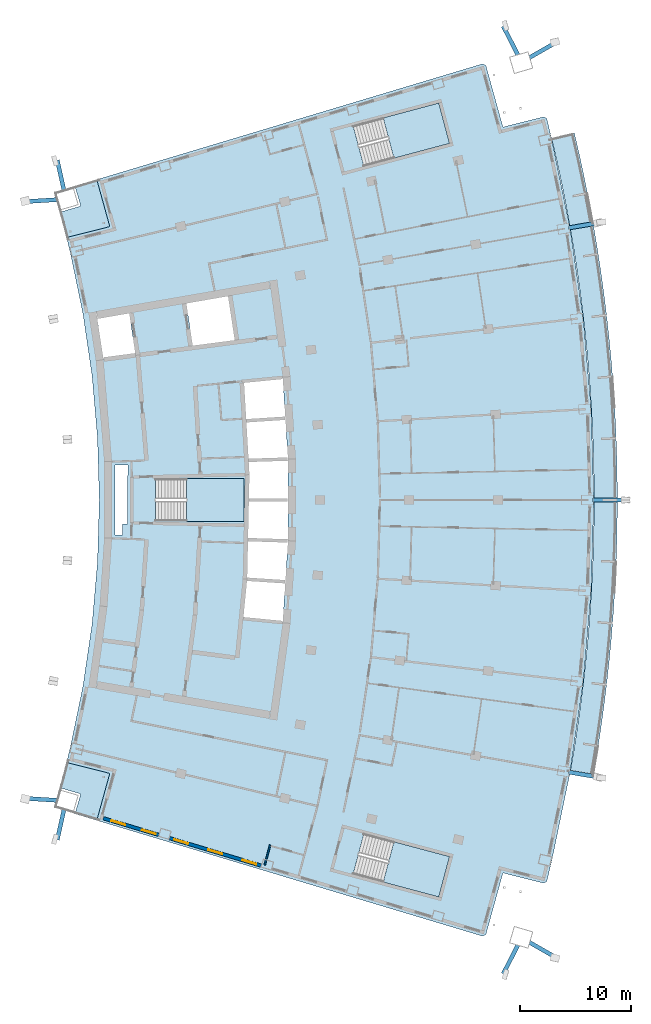
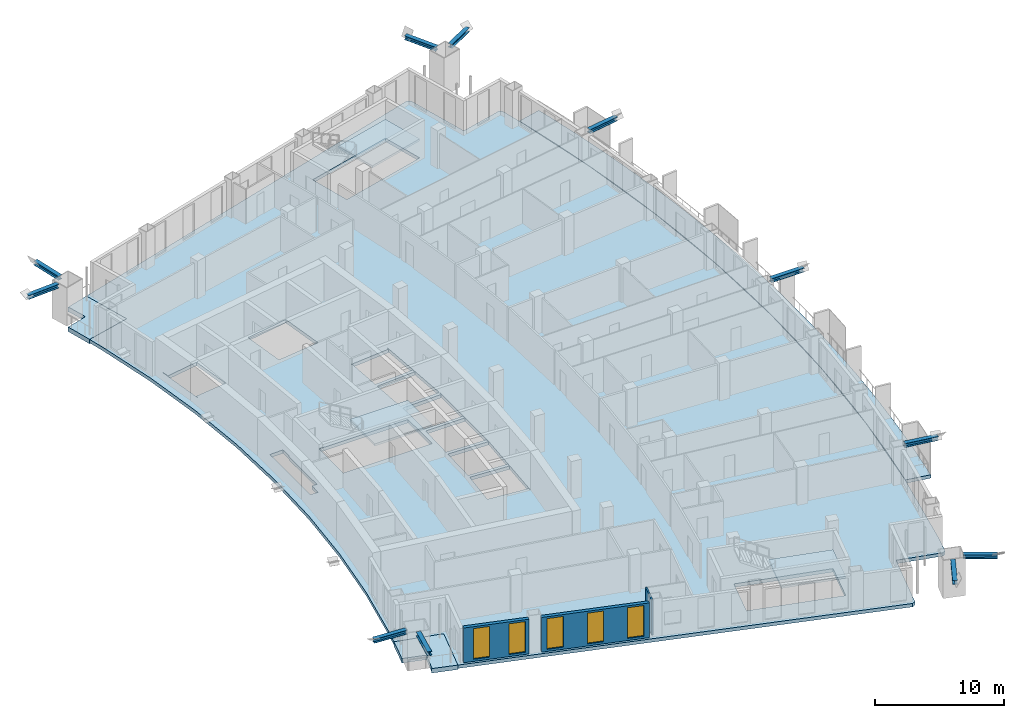
# One storey, part 10 of 22: 11 members, 7 slabs, 5 windows, 3 walls, 5 openings, 3 elements without a shape of their own.
"""IFC4 building model written with IfcOpenShell, lengths in metres."""

import ifcopenshell
import ifcopenshell.guid

model = None  # the IFC model being written
_history = None  # IfcOwnerHistory: only IFC2X3 demands one
_inside = {}  # id of a spatial element -> (the spatial element, [elements in it])
_under = {}  # id of a project, library or spatial element -> (it, [spatial elements below it])
_declared = {}  # id of a project -> (the project, [libraries it declares])
_typed = {}  # id of a type object -> (the type object, [elements of that type])
_made_of = {}  # id of a material, layer set ... -> (it, [elements and type objects made of it])


def new_model(schema):
    """Start an empty IFC model of exactly this schema.

    Asked for "IFC4X3", IfcOpenShell would pick the latest addendum, in which some entities
    have other attributes; the version numbers below select the first issue.
    IFC2X3 requires an IfcOwnerHistory on every rooted entity: one is made here for all.
    """
    global model, _history
    if schema == "IFC4X3":
        model = ifcopenshell.file(schema_version=(4, 3, 0, 0))
    else:
        model = ifcopenshell.file(schema=schema)
    _inside.clear()
    _under.clear()
    _declared.clear()
    _typed.clear()
    _made_of.clear()
    _history = None
    if model.schema == "IFC2X3":
        org = make("IfcOrganization", Name="unknown")
        user = make(
            "IfcPersonAndOrganization",
            ThePerson=make("IfcPerson", FamilyName="unknown"),
            TheOrganization=org,
        )
        app = make(
            "IfcApplication",
            ApplicationDeveloper=org,
            Version="unknown",
            ApplicationFullName="unknown",
            ApplicationIdentifier="unknown",
        )
        _history = make(
            "IfcOwnerHistory",
            OwningUser=user,
            OwningApplication=app,
            ChangeAction="ADDED",
            CreationDate=0,
        )
    return model


def make(cls, **values):
    """One entity of the class cls with the attributes given. An attribute that is None is left unset."""
    return model.create_entity(
        cls, **{name: value for name, value in values.items() if value is not None}
    )


def rooted(cls, **values):
    """An entity with a GlobalId (a new one), such as an element, a storey or a relation."""
    return make(cls, GlobalId=ifcopenshell.guid.new(), OwnerHistory=_history, **values)


def si_unit(unit_type, name, prefix=None):
    """IfcSIUnit, for example si_unit("LENGTHUNIT", "METRE", prefix="MILLI")."""
    return make("IfcSIUnit", UnitType=unit_type, Prefix=prefix, Name=name)


def assignment(units):
    """IfcUnitAssignment: the units of a project."""
    return None if units is None else make("IfcUnitAssignment", Units=units)


def point(xyz):
    """IfcCartesianPoint."""
    return None if xyz is None else make("IfcCartesianPoint", Coordinates=xyz)


def direction(xyz):
    """IfcDirection."""
    return None if xyz is None else make("IfcDirection", DirectionRatios=xyz)


def frame(location, z_axis=None, x_axis=None):
    """IfcAxis2Placement3D, a coordinate frame: its origin and axes. An axis left out is left unset."""
    return make(
        "IfcAxis2Placement3D",
        Location=point(location),
        Axis=direction(z_axis),
        RefDirection=direction(x_axis),
    )


def frame_2d(location, x_axis=None):
    """IfcAxis2Placement2D, a coordinate frame in the plane: its origin and x axis."""
    return make(
        "IfcAxis2Placement2D", Location=point(location), RefDirection=direction(x_axis)
    )


def origin():
    """The frame at (0, 0, 0) with its axes left unset."""
    return frame((0.0, 0.0, 0.0))


def origin_2d():
    """The frame at (0, 0) in the plane with its x axis left unset."""
    return frame_2d((0.0, 0.0))


def place(relative_to, where):
    """IfcLocalPlacement: puts the frame where relative to a parent placement (None: the world)."""
    return make(
        "IfcLocalPlacement", PlacementRelTo=relative_to, RelativePlacement=where
    )


def context(
    kind, dimensions, precision=None, world=None, true_north=None, identifier=None
):
    """IfcGeometricRepresentationContext, for example the 3D "Model" context."""
    return make(
        "IfcGeometricRepresentationContext",
        ContextIdentifier=identifier,
        ContextType=kind,
        CoordinateSpaceDimension=dimensions,
        Precision=precision,
        WorldCoordinateSystem=world,
        TrueNorth=true_north,
    )


def subcontext(parent, identifier, kind, view, scale=None):
    """IfcGeometricRepresentationSubContext, for example "Body" below "Model"."""
    return make(
        "IfcGeometricRepresentationSubContext",
        ContextIdentifier=identifier,
        ContextType=kind,
        ParentContext=parent,
        TargetScale=scale,
        TargetView=view,
    )


def project(units=None, contexts=None):
    """IfcProject with its units and contexts."""
    return rooted(
        "IfcProject",
        Name="project",
        RepresentationContexts=contexts,
        UnitsInContext=assignment(units),
    )


def spatial(cls, under=None, at=None, **own):
    """A site, building, storey or space (cls), placed at a placement, below another one or the project."""
    s = rooted(cls, ObjectPlacement=at, **own)
    if under is not None:
        _under.setdefault(under.id(), (under, []))[1].append(s)
    return s


def polyline(points):
    """IfcPolyline through the points."""
    return make("IfcPolyline", Points=[point(p) for p in points])


def profile(cls, at=None, kind="AREA", **sizes):
    """A parametric profile (cls). Its sizes go by their IFC names, for example OverallWidth=200.0."""
    return make(cls, ProfileType=kind, Position=at, **sizes)


def rectangle(**sizes):
    """IfcRectangleProfileDef."""
    return profile("IfcRectangleProfileDef", **sizes)


def i_section(**sizes):
    """IfcIShapeProfileDef."""
    return profile("IfcIShapeProfileDef", **sizes)


def outline(outer, holes=None, kind="AREA"):
    """IfcArbitraryClosedProfileDef: a profile drawn as a closed curve; with holes, ...WithVoids."""
    if holes is None:
        return make("IfcArbitraryClosedProfileDef", ProfileType=kind, OuterCurve=outer)
    return make(
        "IfcArbitraryProfileDefWithVoids",
        ProfileType=kind,
        OuterCurve=outer,
        InnerCurves=holes,
    )


def extrude(swept, where, along, depth):
    """IfcExtrudedAreaSolid: the profile swept, set in the frame where, extruded along a direction by depth."""
    return make(
        "IfcExtrudedAreaSolid",
        SweptArea=swept,
        Position=where,
        ExtrudedDirection=direction(along),
        Depth=depth,
    )


def shape(context_of_items, identifier, shape_type, items):
    """IfcShapeRepresentation: the items that make up one representation, for example the "Body"."""
    return make(
        "IfcShapeRepresentation",
        ContextOfItems=context_of_items,
        RepresentationIdentifier=identifier,
        RepresentationType=shape_type,
        Items=items,
    )


def material(Name=None, Category=None):
    """IfcMaterial."""
    return make("IfcMaterial", Name=Name, Category=Category)


def layer(
    of_material, thickness, ventilated=None, Name=None, Category=None, Priority=None
):
    """IfcMaterialLayer: one layer of a wall or slab, of a material (None: an air gap)."""
    return make(
        "IfcMaterialLayer",
        Material=of_material,
        LayerThickness=thickness,
        IsVentilated=ventilated,
        Name=Name,
        Category=Category,
        Priority=Priority,
    )


def layer_set(layers, Name=None):
    """IfcMaterialLayerSet."""
    return make("IfcMaterialLayerSet", MaterialLayers=layers, LayerSetName=Name)


def material_profile(
    of_material, cross_section, Name=None, Category=None, Priority=None
):
    """IfcMaterialProfile: a cross section and its material."""
    return make(
        "IfcMaterialProfile",
        Name=Name,
        Material=of_material,
        Profile=cross_section,
        Priority=Priority,
        Category=Category,
    )


def profile_set(profiles, Name=None, composite=None):
    """IfcMaterialProfileSet."""
    return make(
        "IfcMaterialProfileSet",
        Name=Name,
        MaterialProfiles=profiles,
        CompositeProfile=composite,
    )


def made_of(thing, what):
    """Note that an element or type object is made of a material, layer set ...; save() writes the relation."""
    if what is not None:
        _made_of.setdefault(what.id(), (what, []))[1].append(thing)
    return thing


def type_object(cls, material=None, **own):
    """A type object (cls), such as IfcWallType, which elements share."""
    return made_of(rooted(cls, **own), material)


def element(
    cls,
    number,
    at=None,
    inside=None,
    cuts=None,
    type_object=None,
    material=None,
    context=None,
    identifier="Body",
    shape_type=None,
    held_by="IfcProductDefinitionShape",
    body=None,
    shapes=None,
    **own,
):
    """One element of the class cls, such as IfcWall. Its Tag is "e" and its number.

    at: its placement. inside: the storey or other place that contains it. cuts: it is an
    opening in that element (IfcRelVoidsElement). A single representation is given by context,
    identifier, shape_type and body (its items); several are given by shapes. held_by: the class
    of the entity that holds the representations. save() writes the other relations.
    """
    e = rooted(cls, Tag="e%d" % number, ObjectPlacement=at, **own)
    if body is not None:
        shapes = [shape(context, identifier, shape_type, body)]
    if shapes is not None:
        e.Representation = make(held_by, Representations=shapes)
    if inside is not None:
        _inside.setdefault(inside.id(), (inside, []))[1].append(e)
    if cuts is not None:
        rooted(
            "IfcRelVoidsElement", RelatingBuildingElement=cuts, RelatedOpeningElement=e
        )
    if type_object is not None:
        _typed.setdefault(type_object.id(), (type_object, []))[1].append(e)
    return made_of(e, material)


def fill(opening, filler):
    """IfcRelFillsElement: the door or window that sits in an opening."""
    return rooted(
        "IfcRelFillsElement",
        RelatingOpeningElement=opening,
        RelatedBuildingElement=filler,
    )


def aggregate(whole, parts):
    """IfcRelAggregates: a whole, such as a stair, and the parts it consists of."""
    return rooted("IfcRelAggregates", RelatingObject=whole, RelatedObjects=parts)


def save(model, path):
    """Write the relations noted so far, then the file.

    IfcRelAggregates (storeys below a building ...), IfcRelContainedInSpatialStructure (elements
    in a storey), IfcRelDefinesByType, IfcRelAssociatesMaterial and IfcRelDeclares: one each for
    every whole, place, type object, material and project.
    """
    for whole, parts in _under.values():
        aggregate(whole, parts)
    for where, things in _inside.values():
        rooted(
            "IfcRelContainedInSpatialStructure",
            RelatedElements=things,
            RelatingStructure=where,
        )
    for kind, things in _typed.values():
        rooted("IfcRelDefinesByType", RelatedObjects=things, RelatingType=kind)
    for what, things in _made_of.values():
        rooted("IfcRelAssociatesMaterial", RelatedObjects=things, RelatingMaterial=what)
    for by, libraries in _declared.values():
        rooted("IfcRelDeclares", RelatingContext=by, RelatedDefinitions=libraries)
    model.write(path)


model = new_model("IFC4")

# Units and contexts
model_context = context("Model", 3, precision=1e-05, world=origin(), true_north=direction((0.0, 1.0)))
body_context = subcontext(model_context, "Body", "Model", "MODEL_VIEW")
ifc_project = project(units=[si_unit("LENGTHUNIT", "METRE"), si_unit("AREAUNIT", "SQUARE_METRE"), si_unit("VOLUMEUNIT", "CUBIC_METRE"), si_unit("PLANEANGLEUNIT", "RADIAN"), si_unit("MASSUNIT", "GRAM", prefix="KILO")], contexts=[model_context])

# Site, building, storey
site_placement = place(None, origin())
site = spatial("IfcSite", under=ifc_project, at=site_placement, CompositionType="ELEMENT")
building_placement = place(site_placement, origin())
building = spatial("IfcBuilding", under=site, at=building_placement, Name="Alderwake Tower", CompositionType="ELEMENT")
storey_placement = place(building_placement, frame((0.0, 0.0, 156.800048828125)))
storey = spatial("IfcBuildingStorey", under=building, at=storey_placement, Name="L38", CompositionType="ELEMENT", Elevation=156.800048828125)

# Members
ifc_material_1 = material(Name="Steel ASTM A992 Grade 50", Category="steel")
ifc_material_profile = material_profile(ifc_material_1, i_section(OverallWidth=0.3740234375, OverallDepth=0.372314453125, WebThickness=0.016357421875, FlangeThickness=0.026123046875, at=origin_2d()), Name="W14X132")
ifc_profile_set = profile_set([ifc_material_profile], Name="Steel ASTM A992 Grade 50")
member_type = type_object("IfcMemberType", Name="Brace node stub W14X132", PredefinedType="MEMBER", material=ifc_profile_set)
member_1_placement = place(storey_placement, frame((58.1572265625, 36.572509765625, 3.393798828125), z_axis=(0.985954230409, -0.167015734404, 0.0), x_axis=(0.167015734404, 0.985954230409, 0.0)))
element("IfcMember", 1, at=member_1_placement, inside=storey, type_object=member_type, Name="Brace node stub BS.FR04-C5.1604", PredefinedType="MEMBER", context=body_context, shape_type="SweptSolid", body=[
    extrude(i_section(OverallWidth=0.3740234375, OverallDepth=0.372314453125, WebThickness=0.016357421875, FlangeThickness=0.026123046875, at=origin_2d()), origin(), (0.0, 0.0, 1.0), 2.783203125),
])
member_2_placement = place(storey_placement, frame((54.616943359375, 21.289306640625, 3.393798828125), z_axis=(0.86887062725, -0.495039223802, 0.0), x_axis=(0.495039223802, 0.86887062725, 0.0)))
element("IfcMember", 2, at=member_2_placement, inside=storey, type_object=member_type, Name="Brace node stub BS.FR02-C5.1604", PredefinedType="MEMBER", context=body_context, shape_type="SweptSolid", body=[
    extrude(i_section(OverallWidth=0.3740234375, OverallDepth=0.372314453125, WebThickness=0.016357421875, FlangeThickness=0.026123046875, at=origin_2d()), origin(), (0.0, 0.0, 1.0), 2.65478515625),
])
member_3_placement = place(storey_placement, frame((60.300048828125, 61.0, 3.393798828125), z_axis=(1.0, 0.0, 0.0), x_axis=(0.0, 1.0, 0.0)))
element("IfcMember", 3, at=member_3_placement, inside=storey, type_object=member_type, Name="Brace node stub BS.FR07-C5.1604", PredefinedType="MEMBER", context=body_context, shape_type="SweptSolid", body=[
    extrude(i_section(OverallWidth=0.3740234375, OverallDepth=0.372314453125, WebThickness=0.016357421875, FlangeThickness=0.026123046875, at=origin_2d()), origin(), (0.0, 0.0, 1.0), 2.92919921875),
])
member_4_placement = place(storey_placement, frame((58.1572265625, 85.427490234375, 3.393798828125), z_axis=(0.985954230409, 0.167015734404, 0.0), x_axis=(-0.167015734404, 0.985954230409, 0.0)))
element("IfcMember", 4, at=member_4_placement, inside=storey, type_object=member_type, Name="Brace node stub BS.FR10-C5.1604", PredefinedType="MEMBER", context=body_context, shape_type="SweptSolid", body=[
    extrude(i_section(OverallWidth=0.3740234375, OverallDepth=0.372314453125, WebThickness=0.016357421875, FlangeThickness=0.026123046875, at=origin_2d()), origin(), (0.0, 0.0, 1.0), 2.783203125),
])
member_5_placement = place(storey_placement, frame((54.616943359375, 100.710693359375, 3.393798828125), z_axis=(0.86887062725, 0.495039223802, 0.0), x_axis=(-0.495039223802, 0.86887062725, 0.0)))
element("IfcMember", 5, at=member_5_placement, inside=storey, type_object=member_type, Name="Brace node stub BS.FR12-C5.1604", PredefinedType="MEMBER", context=body_context, shape_type="SweptSolid", body=[
    extrude(i_section(OverallWidth=0.3740234375, OverallDepth=0.372314453125, WebThickness=0.016357421875, FlangeThickness=0.026123046875, at=origin_2d()), origin(), (0.0, 0.0, 1.0), 2.65478515625),
])
for number, where, z_axis, x_axis, name in (
    (6, (12.188232421875, 34.04248046875, 3.393798828125), (-0.997971305251, 0.063665327266, 0.0), (-0.063665327266, -0.997971305251, 0.0), "Brace node stub BS.RR02-C0.1604"),
    (7, (12.188232421875, 87.95751953125, 3.393798828125), (-0.997971305251, -0.063665327266, 0.0), (0.063665327266, -0.997971305251, 0.0), "Brace node stub BS.RR12-C0.1604"),
):
    element("IfcMember", number, at=place(storey_placement, frame(where, z_axis=z_axis, x_axis=x_axis)), inside=storey, type_object=member_type, Name=name, PredefinedType="MEMBER", context=body_context, shape_type="SweptSolid", body=[
        extrude(i_section(OverallWidth=0.3740234375, OverallDepth=0.372314453125, WebThickness=0.016357421875, FlangeThickness=0.026123046875, at=origin_2d()), origin(), (0.0, 0.0, 1.0), 2.822265625),
    ])
member_6_placement = place(storey_placement, frame((53.568603515625, 21.052490234375, 3.393798828125), z_axis=(-0.453614810544, -0.89119784765, 0.0), x_axis=(0.89119784765, -0.453614810544, 0.0)))
element("IfcMember", 8, at=member_6_placement, inside=storey, type_object=member_type, Name="Brace node stub BS.SR02-C5.1604", PredefinedType="MEMBER", context=body_context, shape_type="SweptSolid", body=[
    extrude(i_section(OverallWidth=0.3740234375, OverallDepth=0.372314453125, WebThickness=0.016357421875, FlangeThickness=0.026123046875, at=origin_2d()), origin(), (0.0, 0.0, 1.0), 2.893310546875),
])
member_7_placement = place(storey_placement, frame((12.848388671875, 33.28369140625, 3.393798828125), z_axis=(-0.216966607056, -0.976179026318, 0.0), x_axis=(0.976179026318, -0.216966607056, 0.0)))
element("IfcMember", 9, at=member_7_placement, inside=storey, type_object=member_type, Name="Brace node stub BS.SR02-C0.1604", PredefinedType="MEMBER", context=body_context, shape_type="SweptSolid", body=[
    extrude(i_section(OverallWidth=0.3740234375, OverallDepth=0.372314453125, WebThickness=0.016357421875, FlangeThickness=0.026123046875, at=origin_2d()), origin(), (0.0, 0.0, 1.0), 2.8603515625),
])
member_8_placement = place(storey_placement, frame((53.568603515625, 100.947509765625, 3.393798828125), z_axis=(-0.453614810544, 0.89119784765, 0.0), x_axis=(-0.89119784765, -0.453614810544, 0.0)))
element("IfcMember", 10, at=member_8_placement, inside=storey, type_object=member_type, Name="Brace node stub BS.NR12-C5.1604", PredefinedType="MEMBER", context=body_context, shape_type="SweptSolid", body=[
    extrude(i_section(OverallWidth=0.3740234375, OverallDepth=0.372314453125, WebThickness=0.016357421875, FlangeThickness=0.026123046875, at=origin_2d()), origin(), (0.0, 0.0, 1.0), 2.893310546875),
])
member_9_placement = place(storey_placement, frame((12.848388671875, 88.71630859375, 3.393798828125), z_axis=(-0.216966607056, 0.976179026318, 0.0), x_axis=(-0.976179026318, -0.216966607056, 0.0)))
element("IfcMember", 11, at=member_9_placement, inside=storey, type_object=member_type, Name="Brace node stub BS.NR12-C0.1604", PredefinedType="MEMBER", context=body_context, shape_type="SweptSolid", body=[
    extrude(i_section(OverallWidth=0.3740234375, OverallDepth=0.372314453125, WebThickness=0.016357421875, FlangeThickness=0.026123046875, at=origin_2d()), origin(), (0.0, 0.0, 1.0), 2.8603515625),
])

# Slabs
ifc_material_2 = material(Name="Concrete C50/60", Category="concrete")
ifc_layer_1 = layer(ifc_material_2, 0.320068359375)
ifc_layer_set_1 = layer_set([ifc_layer_1], Name="Balcony slab 320")
slab_type_1 = type_object("IfcSlabType", Name="Balcony slab 320", PredefinedType="FLOOR", material=ifc_layer_set_1)
slab_1_placement = place(storey_placement, frame((0.0, 0.0, -0.320068359375)))
element("IfcSlab", 12, at=slab_1_placement, inside=storey, type_object=slab_type_1, Name="Balcony BF04", PredefinedType="FLOOR", context=body_context, shape_type="SweptSolid", body=[
    extrude(outline(polyline([(60.67041015625, 38.238525390625), (60.9873046875, 40.292236328125), (61.2744140625, 42.3505859375), (61.53125, 44.41259765625), (61.758056640625, 46.478515625), (61.954833984375, 48.547119140625), (62.121337890625, 50.61865234375), (62.257568359375, 52.692138671875), (62.363525390625, 54.767578125), (62.439453125, 56.84423828125), (62.48486328125, 58.921875), (62.5, 61.0), (62.48486328125, 63.078125), (62.439453125, 65.15576171875), (62.363525390625, 67.232421875), (62.257568359375, 69.307861328125), (62.121337890625, 71.38134765625), (61.954833984375, 73.452880859375), (61.758056640625, 75.521484375), (61.53125, 77.58740234375), (61.2744140625, 79.6494140625), (60.9873046875, 81.707763671875), (60.67041015625, 83.761474609375), (60.323486328125, 85.810302734375), (59.94677734375, 87.85400390625), (59.540283203125, 89.89208984375), (59.104248046875, 91.923828125), (58.638427734375, 93.94921875), (56.59521484375, 93.46337890625), (57.05419921875, 91.468017578125), (57.48388671875, 89.46630859375), (57.884521484375, 87.458251953125), (58.255615234375, 85.44482421875), (58.597412109375, 83.426025390625), (58.90966796875, 81.402587890625), (59.1923828125, 79.37451171875), (59.445556640625, 77.343017578125), (59.669189453125, 75.3076171875), (59.86279296875, 73.269287109375), (60.02685546875, 71.228515625), (60.1611328125, 69.185302734375), (60.265625, 67.140380859375), (60.34033203125, 65.094482421875), (60.385009765625, 63.04736328125), (60.39990234375, 61.0), (60.385009765625, 58.95263671875), (60.34033203125, 56.905517578125), (60.265625, 54.859619140625), (60.1611328125, 52.814697265625), (60.02685546875, 50.771484375), (59.86279296875, 48.730712890625), (59.669189453125, 46.6923828125), (59.445556640625, 44.656982421875), (59.1923828125, 42.62548828125), (58.90966796875, 40.597412109375), (58.597412109375, 38.573974609375), (58.255615234375, 36.55517578125), (60.323486328125, 36.189697265625), (60.67041015625, 38.238525390625)])), origin(), (0.0, 0.0, 1.0), 0.320068359375),
])
ifc_material_3 = material(Name="Concrete C50/60", Category="concrete")
ifc_layer_2 = layer(ifc_material_3, 0.320068359375)
ifc_layer_set_2 = layer_set([ifc_layer_2], Name="Concrete C50/60 post-tensioned flat plate 320")
slab_type_2 = type_object("IfcSlabType", Name="Concrete C50/60 post-tensioned flat plate 320", PredefinedType="FLOOR", material=ifc_layer_set_2)
slab_2_placement = place(storey_placement, frame((0.0, 0.0, -0.320068359375)))
element("IfcSlab", 13, at=slab_2_placement, inside=storey, type_object=slab_type_2, Name="Floor slab L38", PredefinedType="FLOOR", context=body_context, shape_type="SweptSolid", body=[
    extrude(outline(polyline([(13.06494140625, 37.443115234375), (13.3984375, 38.802734375), (14.53369140625, 44.28564453125), (15.347412109375, 49.825439453125), (15.836669921875, 55.4033203125), (16.0, 61.0), (15.836669921875, 66.5966796875), (15.347412109375, 72.174560546875), (14.53369140625, 77.71435546875), (13.3984375, 83.197265625), (13.06494140625, 84.556884765625), (16.942626953125, 85.53857421875), (15.776611328125, 89.7548828125), (50.4189453125, 100.155517578125), (50.70068359375, 100.0), (52.229736328125, 94.470458984375), (55.884521484375, 95.3955078125), (56.162109375, 95.228515625), (56.59521484375, 93.46337890625), (58.255615234375, 85.44482421875), (59.445556640625, 77.343017578125), (60.1611328125, 69.185302734375), (60.39990234375, 61.0), (60.1611328125, 52.814697265625), (59.445556640625, 44.656982421875), (58.255615234375, 36.55517578125), (56.59521484375, 28.53662109375), (56.162109375, 26.771484375), (55.884521484375, 26.6044921875), (52.229736328125, 27.529541015625), (50.70068359375, 22.0), (50.4189453125, 21.844482421875), (15.776611328125, 32.2451171875), (16.942626953125, 36.46142578125), (13.06494140625, 37.443115234375)]), holes=[polyline([(29.2578125, 53.77197265625), (28.9365234375, 50.4912109375), (32.447509765625, 50.147705078125), (32.432861328125, 49.998291015625), (32.462646484375, 49.995361328125), (32.701416015625, 53.660888671875), (32.940185546875, 57.32666015625), (32.940185546875, 61.0), (32.940185546875, 64.67333984375), (32.701416015625, 68.339111328125), (32.462646484375, 72.004638671875), (32.432861328125, 72.001708984375), (32.447509765625, 71.852294921875), (28.886962890625, 71.50390625), (28.88720703125, 71.50048828125), (28.99462890625, 71.506591796875), (29.184814453125, 68.26025390625), (32.66162109375, 68.48681640625), (32.67138671875, 68.337158203125), (32.68115234375, 68.1875), (29.2021484375, 67.960693359375), (29.392578125, 64.7080078125), (32.9052734375, 64.822265625), (32.91015625, 64.67236328125), (32.9150390625, 64.5224609375), (29.41015625, 64.408447265625), (29.4765625, 63.27685546875), (29.429443359375, 61.14990234375), (32.91015625, 61.14990234375), (32.91015625, 61.0), (32.91015625, 60.85009765625), (29.4228515625, 60.85009765625), (29.350830078125, 57.593505859375), (32.9150390625, 57.4775390625), (32.91015625, 57.32763671875), (32.9052734375, 57.177734375), (29.34423828125, 57.29345703125), (29.2705078125, 53.969482421875), (29.274169921875, 53.969482421875), (29.2783203125, 54.0341796875), (32.68115234375, 53.8125), (32.67138671875, 53.662841796875), (32.66162109375, 53.51318359375), (29.2587890625, 53.73486328125), (29.26123046875, 53.771728515625), (29.2578125, 53.77197265625)]), polyline([(21.050048828125, 62.875), (21.050048828125, 59.125), (29.0, 59.125), (29.0, 62.875), (21.050048828125, 62.875)]), polyline([(15.739013671875, 77.927490234375), (15.5361328125, 77.8916015625), (15.536865234375, 77.887939453125), (15.716796875, 77.91552734375), (16.379150390625, 73.605712890625), (16.4091796875, 73.609619140625), (16.38330078125, 73.80810546875), (19.224853515625, 74.1796875), (18.689697265625, 77.74365234375), (18.885986328125, 77.773193359375), (18.8837890625, 77.787109375), (15.854248046875, 77.261962890625), (15.739013671875, 77.927490234375)]), polyline([(27.555419921875, 79.29052734375), (23.811767578125, 78.6416015625), (24.384033203125, 74.8583984375), (24.373291015625, 74.856689453125), (24.373779296875, 74.85302734375), (28.152587890625, 75.347412109375), (27.555419921875, 79.29052734375)]), polyline([(47.436279296875, 28.996826171875), (39.754150390625, 31.043212890625), (38.7890625, 27.41943359375), (46.47119140625, 25.373291015625), (47.436279296875, 28.996826171875)]), polyline([(46.47119140625, 96.626708984375), (38.7890625, 94.58056640625), (39.754150390625, 90.956787109375), (47.436279296875, 93.003173828125), (46.47119140625, 96.626708984375)]), polyline([(17.389404296875, 64.1220703125), (17.389404296875, 57.8779296875), (18.06298828125, 57.85400390625), (18.090576171875, 58.84375), (18.544189453125, 58.831298828125), (18.529296875, 58.8681640625), (18.5234375, 58.891845703125), (18.5185546875, 58.940673828125), (18.5185546875, 63.060302734375), (18.5234375, 63.109130859375), (18.53759765625, 63.156005859375), (18.560791015625, 63.19921875), (18.588623046875, 63.2333984375), (18.562744140625, 64.16357421875), (17.389404296875, 64.1220703125)])]), origin(), (0.0, 0.0, 1.0), 0.320068359375),
])

# Stair, slab
ifc_material_4 = material(Name="Concrete C40/50", Category="concrete")
stair_type = type_object("IfcStairType", Name="Core exit stair", PredefinedType="HALF_TURN_STAIR", material=ifc_material_4)
stair_1_placement = place(storey_placement, origin())
stair_1 = element("IfcStair", 14, at=stair_1_placement, inside=storey, type_object=stair_type, Name="L38 Exit Stair B", PredefinedType="HALF_TURN_STAIR")
ifc_material_5 = material(Name="Concrete C40/50", Category="concrete")
ifc_layer_3 = layer(ifc_material_5, 0.199951171875)
ifc_layer_set_3 = layer_set([ifc_layer_3], Name="Core stair landing 200")
slab_type_3 = type_object("IfcSlabType", Name="Core stair landing 200", PredefinedType="LANDING", material=ifc_layer_set_3)
slab_3_placement = place(storey_placement, frame((0.0, 0.0, 1.599853515625)))
slab_3 = element("IfcSlab", 15, at=slab_3_placement, type_object=slab_type_3, Name="ST-B landing 1", PredefinedType="LANDING", context=body_context, shape_type="SweptSolid", body=[
    extrude(outline(polyline([(23.830078125, 59.074951171875), (29.0, 59.074951171875), (29.0, 62.925048828125), (23.830078125, 62.925048828125), (23.830078125, 59.074951171875)])), origin(), (0.0, 0.0, 1.0), 0.2001953125),
])
aggregate(stair_1, [slab_3])

stair_2_placement = place(storey_placement, origin())
stair_2 = element("IfcStair", 16, at=stair_2_placement, inside=storey, type_object=stair_type, Name="L38 Exit Stair A", PredefinedType="HALF_TURN_STAIR")
slab_4_placement = place(storey_placement, frame((0.0, 0.0, 1.599853515625)))
slab_4 = element("IfcSlab", 17, at=slab_4_placement, type_object=slab_type_3, Name="ST-A landing 1", PredefinedType="LANDING", context=body_context, shape_type="SweptSolid", body=[
    extrude(outline(polyline([(42.440673828125, 91.67236328125), (47.436279296875, 93.003173828125), (46.47119140625, 96.626708984375), (41.475341796875, 95.296142578125), (42.440673828125, 91.67236328125)])), origin(), (0.0, 0.0, 1.0), 0.2001953125),
])
aggregate(stair_2, [slab_4])

stair_3_placement = place(storey_placement, origin())
stair_3 = element("IfcStair", 18, at=stair_3_placement, inside=storey, type_object=stair_type, Name="L38 Exit Stair C", PredefinedType="HALF_TURN_STAIR")
slab_5_placement = place(storey_placement, frame((0.0, 0.0, 1.599853515625)))
slab_5 = element("IfcSlab", 19, at=slab_5_placement, type_object=slab_type_3, Name="ST-C landing 1", PredefinedType="LANDING", context=body_context, shape_type="SweptSolid", body=[
    extrude(outline(polyline([(41.475341796875, 26.703857421875), (46.47119140625, 25.373291015625), (47.436279296875, 28.996826171875), (42.4404296875, 30.32763671875), (41.475341796875, 26.703857421875)])), origin(), (0.0, 0.0, 1.0), 0.2001953125),
])
aggregate(stair_3, [slab_5])

# Slabs
ifc_material_6 = material(Name="Concrete C50/60", Category="concrete")
ifc_layer_4 = layer(ifc_material_6, 0.419921875)
ifc_layer_set_4 = layer_set([ifc_layer_4], Name="Terrace slab 420")
slab_type_4 = type_object("IfcSlabType", Name="Terrace slab 420", PredefinedType="FLOOR", material=ifc_layer_set_4)
slab_6_placement = place(storey_placement, frame((0.0, 0.0, -0.420166015625)))
element("IfcSlab", 20, at=slab_6_placement, inside=storey, type_object=slab_type_4, Name="Corner terrace RS", PredefinedType="FLOOR", context=body_context, shape_type="SweptSolid", body=[
    extrude(outline(polyline([(15.776611328125, 32.2451171875), (13.768798828125, 32.847900390625), (13.77685546875, 32.851806640625), (13.789306640625, 32.859619140625), (13.801025390625, 32.868408203125), (13.81201171875, 32.878662109375), (13.82177734375, 32.8896484375), (13.830322265625, 32.901611328125), (13.837646484375, 32.914306640625), (13.84375, 32.927490234375), (13.8486328125, 32.94140625), (14.29443359375, 34.478271484375), (14.2978515625, 34.492431640625), (14.2998046875, 34.507080078125), (14.30029296875, 34.521728515625), (14.29931640625, 34.53662109375), (14.297119140625, 34.551025390625), (14.29345703125, 34.565185546875), (14.2880859375, 34.5791015625), (14.28173828125, 34.59228515625), (14.27392578125, 34.604736328125), (14.26513671875, 34.616455078125), (14.255126953125, 34.627197265625), (14.244140625, 34.63720703125), (14.232177734375, 34.645751953125), (14.219482421875, 34.653076171875), (14.2060546875, 34.6591796875), (14.192138671875, 34.6640625), (12.46337890625, 35.16552734375), (12.456787109375, 35.1669921875), (12.71142578125, 36.08837890625), (13.06494140625, 37.443115234375), (16.942626953125, 36.46142578125), (15.776611328125, 32.2451171875)])), origin(), (0.0, 0.0, 1.0), 0.420166015625),
])
slab_7_placement = place(storey_placement, frame((0.0, 0.0, -0.420166015625)))
element("IfcSlab", 21, at=slab_7_placement, inside=storey, type_object=slab_type_4, Name="Corner terrace RN", PredefinedType="FLOOR", context=body_context, shape_type="SweptSolid", body=[
    extrude(outline(polyline([(12.456787109375, 86.8330078125), (12.46337890625, 86.83447265625), (14.192138671875, 87.3359375), (14.2060546875, 87.3408203125), (14.219482421875, 87.346923828125), (14.232177734375, 87.354248046875), (14.244140625, 87.36279296875), (14.255126953125, 87.372802734375), (14.26513671875, 87.383544921875), (14.27392578125, 87.395263671875), (14.28173828125, 87.40771484375), (14.2880859375, 87.4208984375), (14.29345703125, 87.434814453125), (14.297119140625, 87.448974609375), (14.29931640625, 87.46337890625), (14.30029296875, 87.478271484375), (14.2998046875, 87.492919921875), (14.2978515625, 87.507568359375), (14.29443359375, 87.521728515625), (13.8486328125, 89.05859375), (13.84375, 89.072509765625), (13.837646484375, 89.085693359375), (13.830322265625, 89.098388671875), (13.82177734375, 89.1103515625), (13.81201171875, 89.121337890625), (13.801025390625, 89.131591796875), (13.789306640625, 89.140380859375), (13.77685546875, 89.148193359375), (13.768798828125, 89.152099609375), (15.776611328125, 89.7548828125), (16.942626953125, 85.53857421875), (13.06494140625, 84.556884765625), (12.71142578125, 85.91162109375), (12.456787109375, 86.8330078125)])), origin(), (0.0, 0.0, 1.0), 0.420166015625),
])

# Wall, openings, windows
ifc_material_7 = material(Name="Bronze metal cladding on lightweight framing")
ifc_layer_5 = layer(ifc_material_7, 0.300048828125)
ifc_layer_set_5 = layer_set([ifc_layer_5], Name="External wall EW2 bronze metal cladding")
wall_type_1 = type_object("IfcWallType", Name="External wall EW2 bronze metal cladding", PredefinedType="SOLIDWALL", material=ifc_layer_set_5)
wall_1_placement = place(storey_placement, frame((16.352783203125, 32.4375, 0.0), z_axis=(0.0, 0.0, 1.0), x_axis=(0.95776681843, -0.287546033732, 0.0)))
wall_1 = element("IfcWall", 22, at=wall_1_placement, inside=storey, type_object=wall_type_1, Name="External wall 4", PredefinedType="SOLIDWALL", context=body_context, shape_type="SweptSolid", body=[
    extrude(rectangle(XDim=5.199462890625, YDim=0.300048828125, at=frame_2d((2.599609375, 0.0))), origin(), (0.0, 0.0, 1.0), 3.280029296875),
])
opening_1_placement = place(wall_1_placement, frame((0.775390625, 0.0, 0.199951171875)))
opening_1 = element("IfcOpeningElement", 23, at=opening_1_placement, cuts=wall_1, Name="Opening W1", PredefinedType="OPENING", context=body_context, shape_type="SweptSolid", body=[
    extrude(rectangle(XDim=1.300048828125, YDim=2.89990234375, at=frame_2d((0.64990234375, 1.449951171875))), frame((0.0, 0.159912109375, 0.0), z_axis=(0.0, -1.0, 0.0), x_axis=(1.0, 0.0, 0.0)), (0.0, 0.0, 1.0), 0.320068359375),
])
opening_2_placement = place(wall_1_placement, frame((3.626220703125, 0.0, 0.199951171875)))
opening_2 = element("IfcOpeningElement", 24, at=opening_2_placement, cuts=wall_1, Name="Opening W1", PredefinedType="OPENING", context=body_context, shape_type="SweptSolid", body=[
    extrude(rectangle(XDim=1.300048828125, YDim=2.89990234375, at=frame_2d((0.64990234375, 1.449951171875))), frame((0.0, 0.159912109375, 0.0), z_axis=(0.0, -1.0, 0.0), x_axis=(1.0, 0.0, 0.0)), (0.0, 0.0, 1.0), 0.320068359375),
])
ifc_material_8 = material(Name="Bronze tinted glass in aluminium frame", Category="aluminium")
window_type = type_object("IfcWindowType", Name="Window W1 tall fixed and vent", PartitioningType="DOUBLE_PANEL_VERTICAL", PredefinedType="WINDOW", material=ifc_material_8)
window_1_placement = place(opening_1_placement, origin())
window_1 = element("IfcWindow", 25, at=window_1_placement, inside=storey, type_object=window_type, Name="Window W1 tall fixed and vent", OverallHeight=2.89990234375, OverallWidth=1.300048828125, PartitioningType="DOUBLE_PANEL_VERTICAL", PredefinedType="WINDOW", context=body_context, shape_type="SweptSolid", body=[
    extrude(rectangle(XDim=1.300048828125, YDim=2.89990234375, at=frame_2d((0.64990234375, 1.449951171875))), frame((0.0, 0.030029296875, 0.0), z_axis=(0.0, -1.0, 0.0), x_axis=(1.0, 0.0, 0.0)), (0.0, 0.0, 1.0), 0.06005859375),
])
fill(opening_1, window_1)
window_2_placement = place(opening_2_placement, origin())
window_2 = element("IfcWindow", 26, at=window_2_placement, inside=storey, type_object=window_type, Name="Window W1 tall fixed and vent", OverallHeight=2.89990234375, OverallWidth=1.300048828125, PartitioningType="DOUBLE_PANEL_VERTICAL", PredefinedType="WINDOW", context=body_context, shape_type="SweptSolid", body=[
    extrude(rectangle(XDim=1.300048828125, YDim=2.89990234375, at=frame_2d((0.64990234375, 1.449951171875))), frame((0.0, 0.030029296875, 0.0), z_axis=(0.0, -1.0, 0.0), x_axis=(1.0, 0.0, 0.0)), (0.0, 0.0, 1.0), 0.06005859375),
])
fill(opening_2, window_2)

wall_2_placement = place(storey_placement, frame((22.294677734375, 30.653564453125, 0.0), z_axis=(0.0, 0.0, 1.0), x_axis=(0.957768419769, -0.287540699891, 0.0)))
wall_2 = element("IfcWall", 27, at=wall_2_placement, inside=storey, type_object=wall_type_1, Name="External wall 5", PredefinedType="SOLIDWALL", context=body_context, shape_type="SweptSolid", body=[
    extrude(rectangle(XDim=8.595947265625, YDim=0.300048828125, at=frame_2d((4.2978515625, 0.0))), origin(), (0.0, 0.0, 1.0), 3.280029296875),
])
opening_3_placement = place(wall_2_placement, frame((0.44775390625, 0.0, 0.199951171875)))
opening_3 = element("IfcOpeningElement", 28, at=opening_3_placement, cuts=wall_2, Name="Opening W1", PredefinedType="OPENING", context=body_context, shape_type="SweptSolid", body=[
    extrude(rectangle(XDim=1.300048828125, YDim=2.89990234375, at=frame_2d((0.64990234375, 1.449951171875))), frame((0.0, 0.159912109375, 0.0), z_axis=(0.0, -1.0, 0.0), x_axis=(1.0, 0.0, 0.0)), (0.0, 0.0, 1.0), 0.320068359375),
])
opening_4_placement = place(wall_2_placement, frame((3.647705078125, 0.0, 0.199951171875)))
opening_4 = element("IfcOpeningElement", 29, at=opening_4_placement, cuts=wall_2, Name="Opening W1", PredefinedType="OPENING", context=body_context, shape_type="SweptSolid", body=[
    extrude(rectangle(XDim=1.300048828125, YDim=2.89990234375, at=frame_2d((0.64990234375, 1.449951171875))), frame((0.0, 0.159912109375, 0.0), z_axis=(0.0, -1.0, 0.0), x_axis=(1.0, 0.0, 0.0)), (0.0, 0.0, 1.0), 0.320068359375),
])
opening_5_placement = place(wall_2_placement, frame((6.847900390625, 0.0, 0.199951171875)))
opening_5 = element("IfcOpeningElement", 30, at=opening_5_placement, cuts=wall_2, Name="Opening W1", PredefinedType="OPENING", context=body_context, shape_type="SweptSolid", body=[
    extrude(rectangle(XDim=1.300048828125, YDim=2.89990234375, at=frame_2d((0.64990234375, 1.449951171875))), frame((0.0, 0.159912109375, 0.0), z_axis=(0.0, -1.0, 0.0), x_axis=(1.0, 0.0, 0.0)), (0.0, 0.0, 1.0), 0.320068359375),
])
window_3_placement = place(opening_3_placement, origin())
window_3 = element("IfcWindow", 31, at=window_3_placement, inside=storey, type_object=window_type, Name="Window W1 tall fixed and vent", OverallHeight=2.89990234375, OverallWidth=1.300048828125, PartitioningType="DOUBLE_PANEL_VERTICAL", PredefinedType="WINDOW", context=body_context, shape_type="SweptSolid", body=[
    extrude(rectangle(XDim=1.300048828125, YDim=2.89990234375, at=frame_2d((0.64990234375, 1.449951171875))), frame((0.0, 0.030029296875, 0.0), z_axis=(0.0, -1.0, 0.0), x_axis=(1.0, 0.0, 0.0)), (0.0, 0.0, 1.0), 0.06005859375),
])
fill(opening_3, window_3)
window_4_placement = place(opening_4_placement, origin())
window_4 = element("IfcWindow", 32, at=window_4_placement, inside=storey, type_object=window_type, Name="Window W1 tall fixed and vent", OverallHeight=2.89990234375, OverallWidth=1.300048828125, PartitioningType="DOUBLE_PANEL_VERTICAL", PredefinedType="WINDOW", context=body_context, shape_type="SweptSolid", body=[
    extrude(rectangle(XDim=1.300048828125, YDim=2.89990234375, at=frame_2d((0.64990234375, 1.449951171875))), frame((0.0, 0.030029296875, 0.0), z_axis=(0.0, -1.0, 0.0), x_axis=(1.0, 0.0, 0.0)), (0.0, 0.0, 1.0), 0.06005859375),
])
fill(opening_4, window_4)
window_5_placement = place(opening_5_placement, origin())
window_5 = element("IfcWindow", 33, at=window_5_placement, inside=storey, type_object=window_type, Name="Window W1 tall fixed and vent", OverallHeight=2.89990234375, OverallWidth=1.300048828125, PartitioningType="DOUBLE_PANEL_VERTICAL", PredefinedType="WINDOW", context=body_context, shape_type="SweptSolid", body=[
    extrude(rectangle(XDim=1.300048828125, YDim=2.89990234375, at=frame_2d((0.64990234375, 1.449951171875))), frame((0.0, 0.030029296875, 0.0), z_axis=(0.0, -1.0, 0.0), x_axis=(1.0, 0.0, 0.0)), (0.0, 0.0, 1.0), 0.06005859375),
])
fill(opening_5, window_5)

# Wall
ifc_material_9 = material(Name="Moisture resistant gypsum board on metal studs")
ifc_layer_6 = layer(ifc_material_9, 0.1201171875)
ifc_layer_set_6 = layer_set([ifc_layer_6], Name="Wet room partition 120")
wall_type_2 = type_object("IfcWallType", Name="Wet room partition 120", PredefinedType="PARTITIONING", material=ifc_layer_set_6)
wall_3_placement = place(storey_placement, frame((31.32958984375, 30.031005859375, 0.0), z_axis=(0.0, 0.0, 1.0), x_axis=(-0.259368447521, -0.965778446866, 0.0)))
element("IfcWall", 34, at=wall_3_placement, inside=storey, type_object=wall_type_2, Name="WL/L38/W31", PredefinedType="PARTITIONING", context=body_context, shape_type="SweptSolid", body=[
    extrude(rectangle(XDim=1.8525390625, YDim=0.1201171875, at=frame_2d((0.92626953125, 0.0))), origin(), (0.0, 0.0, 1.0), 3.280029296875),
])

save(model, "model.ifc")
